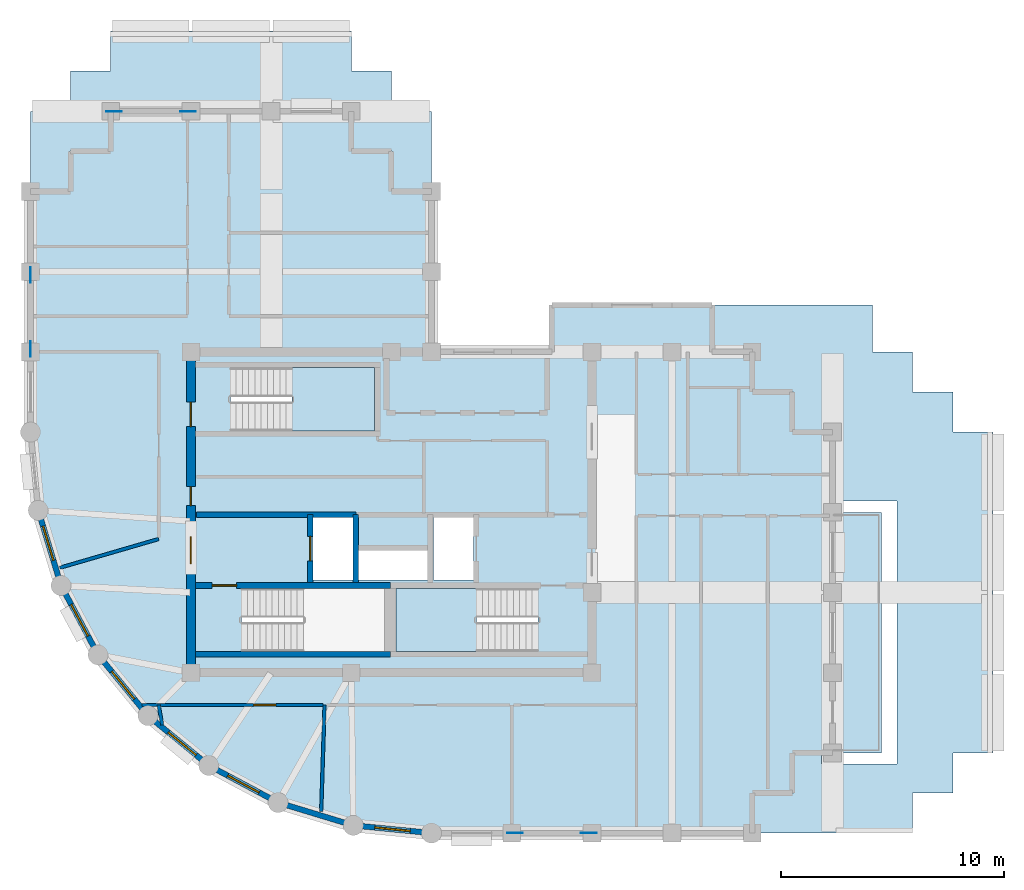
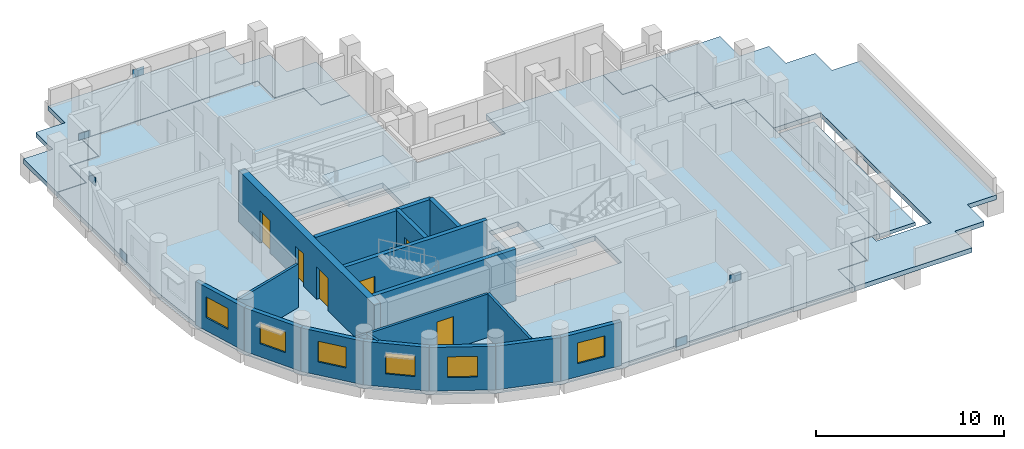
# One storey, part 2 of 7: 17 walls, 6 doors, 6 plates, 6 slabs, 6 windows, 12 openings, 2 elements without a shape of their own.
"""IFC4 building model written with IfcOpenShell, lengths in metres."""

from ifc_helpers import new_model, si_unit, direction, frame, frame_2d, origin, origin_2d, place, context, subcontext, project, spatial, polyline, rectangle, outline, extrude, material, layer, layer_set, type_object, element, fill, aggregate, save


model = new_model("IFC4")

# Units and contexts
model_context = context("Model", 3, precision=1e-05, world=origin(), true_north=direction((0.0, 1.0)))
body_context = subcontext(model_context, "Body", "Model", "MODEL_VIEW")
ifc_project = project(units=[si_unit("LENGTHUNIT", "METRE"), si_unit("AREAUNIT", "SQUARE_METRE"), si_unit("VOLUMEUNIT", "CUBIC_METRE"), si_unit("PLANEANGLEUNIT", "RADIAN"), si_unit("MASSUNIT", "GRAM", prefix="KILO")], contexts=[model_context])

# Site, building, storey
site_placement = place(None, origin())
site = spatial("IfcSite", under=ifc_project, at=site_placement, CompositionType="ELEMENT")
building_placement = place(site_placement, origin())
building = spatial("IfcBuilding", under=site, at=building_placement, Name="Solnavia Interchange Tower", CompositionType="ELEMENT")
storey_placement = place(building_placement, frame((0.0, 0.0, 221.0)))
storey = spatial("IfcBuildingStorey", under=building, at=storey_placement, Name="L55", CompositionType="ELEMENT", Elevation=221.0)

# Plates
ifc_material_1 = material(Name="Steel S460", Category="steel")
ifc_layer_1 = layer(ifc_material_1, 0.030029296875)
ifc_layer_set_1 = layer_set([ifc_layer_1], Name="Steel S460")
plate_type = type_object("IfcPlateType", Name="Plate-Gusset-700x520x30", PredefinedType="USERDEFINED", material=ifc_layer_set_1)
for number, where, z_axis, x_axis, name in (
    (1, (28.93994140625, 3.60009765625, -0.080078125), (0.0, 0.0, 1.0), (1.0, 0.0, 0.0), "PLT-L55-GP01 Perimeter brace gusset plate"),
    (2, (32.260009765625, 3.60009765625, 2.909912109375), (0.0, 0.0, 1.0), (1.0, 0.0, 0.0), "PLT-L55-GP02 Perimeter brace gusset plate"),
    (3, (7.199951171875, 25.340087890625, -0.080078125), (0.0, 0.0, 1.0), (0.0, 1.0, 0.0), "PLT-L55-GP03 Perimeter brace gusset plate"),
    (4, (7.199951171875, 28.659912109375, 2.909912109375), (0.0, 0.0, 1.0), (0.0, 1.0, 0.0), "PLT-L55-GP04 Perimeter brace gusset plate"),
    (5, (10.93994140625, 36.0, -0.080078125), (0.0, 0.0, 1.0), (1.0, 0.0, 0.0), "PLT-L55-GP05 Perimeter brace gusset plate"),
    (6, (14.260009765625, 36.0, 2.909912109375), (0.0, 0.0, 1.0), (1.0, 0.0, 0.0), "PLT-L55-GP06 Perimeter brace gusset plate"),
):
    element("IfcPlate", number, at=place(storey_placement, frame(where, z_axis=z_axis, x_axis=x_axis)), inside=storey, type_object=plate_type, Name=name, ObjectType="GUSSET PLATE", PredefinedType="USERDEFINED", context=body_context, shape_type="SweptSolid", body=[
        extrude(rectangle(XDim=0.699951171875, YDim=0.030029296875, at=origin_2d()), origin(), (0.0, 0.0, 1.0), 0.52001953125),
    ])

# Slabs
ifc_material_2 = material(Name="Concrete C40/50", Category="concrete")
ifc_layer_2 = layer(ifc_material_2, 0.300048828125)
ifc_layer_set_2 = layer_set([ifc_layer_2], Name="Concrete C40/50")
slab_type_1 = type_object("IfcSlabType", Name="Slab-Roof-300", PredefinedType="ROOF", material=ifc_layer_set_2)
slab_1_placement = place(storey_placement, frame((0.0, 0.0, -0.300048828125)))
element("IfcSlab", 7, at=slab_1_placement, inside=storey, type_object=slab_type_1, Name="ROF-L55-01 Setback maintenance roof slab", PredefinedType="ROOF", context=body_context, shape_type="SweptSolid", body=[
    extrude(outline(polyline([(45.0, 25.199951171875), (46.800048828125, 25.199951171875), (46.800048828125, 23.39990234375), (48.60009765625, 23.39990234375), (48.60009765625, 21.60009765625), (50.39990234375, 21.60009765625), (50.39990234375, 7.199951171875), (48.60009765625, 7.199951171875), (48.60009765625, 5.39990234375), (46.800048828125, 5.39990234375), (46.800048828125, 3.60009765625), (39.6201171875, 3.60009765625), (39.6201171875, 5.3798828125), (41.419921875, 5.3798828125), (41.419921875, 7.179931640625), (42.699951171875, 7.179931640625), (42.699951171875, 6.699951171875), (46.10009765625, 6.699951171875), (46.10009765625, 18.5), (43.219970703125, 18.5), (43.219970703125, 21.6201171875), (41.419921875, 21.6201171875), (41.419921875, 23.419921875), (39.6201171875, 23.419921875), (39.6201171875, 25.219970703125), (37.820068359375, 25.219970703125), (37.820068359375, 27.300048828125), (45.0, 27.300048828125), (45.0, 25.199951171875)])), origin(), (0.0, 0.0, 1.0), 0.300048828125),
])
slab_2_placement = place(storey_placement, frame((0.0, 0.0, -0.300048828125)))
element("IfcSlab", 8, at=slab_2_placement, inside=storey, type_object=slab_type_1, Name="ROF-L55-02 Setback maintenance roof slab", PredefinedType="ROOF", context=body_context, shape_type="SweptSolid", body=[
    extrude(outline(polyline([(9.0, 36.0), (9.0, 37.800048828125), (10.800048828125, 37.800048828125), (10.800048828125, 39.60009765625), (21.60009765625, 39.60009765625), (21.60009765625, 37.800048828125), (23.39990234375, 37.800048828125), (23.39990234375, 36.0), (25.199951171875, 36.0), (25.199951171875, 32.419921875), (23.419921875, 32.419921875), (23.419921875, 34.219970703125), (21.6201171875, 34.219970703125), (21.6201171875, 36.02001953125), (10.780029296875, 36.02001953125), (10.780029296875, 34.219970703125), (8.97998046875, 34.219970703125), (8.97998046875, 32.419921875), (7.199951171875, 32.419921875), (7.199951171875, 36.0), (9.0, 36.0)])), origin(), (0.0, 0.0, 1.0), 0.300048828125),
])
ifc_layer_3 = layer(ifc_material_2, 0.320068359375)
ifc_layer_set_3 = layer_set([ifc_layer_3], Name="Concrete C40/50")
slab_type_2 = type_object("IfcSlabType", Name="Slab-Special-320", PredefinedType="FLOOR", material=ifc_layer_set_3)
slab_3_placement = place(storey_placement, frame((0.0, 0.0, -0.320068359375)))
element("IfcSlab", 9, at=slab_3_placement, inside=storey, type_object=slab_type_2, Name="SLB-L55-01 Structural floor slab", PredefinedType="FLOOR", context=body_context, shape_type="SweptSolid", body=[
    extrude(outline(polyline([(25.199951171875, 3.60009765625), (39.60009765625, 3.60009765625), (39.60009765625, 5.39990234375), (41.39990234375, 5.39990234375), (41.39990234375, 7.199951171875), (43.199951171875, 7.199951171875), (43.199951171875, 21.60009765625), (41.39990234375, 21.60009765625), (41.39990234375, 23.39990234375), (39.60009765625, 23.39990234375), (39.60009765625, 25.199951171875), (37.800048828125, 25.199951171875), (37.800048828125, 27.300048828125), (30.60009765625, 27.300048828125), (30.60009765625, 25.199951171875), (25.199951171875, 25.199951171875), (25.199951171875, 32.39990234375), (23.39990234375, 32.39990234375), (23.39990234375, 34.199951171875), (21.60009765625, 34.199951171875), (21.60009765625, 36.0), (10.800048828125, 36.0), (10.800048828125, 34.199951171875), (9.0, 34.199951171875), (9.0, 32.39990234375), (7.199951171875, 32.39990234375), (7.199951171875, 21.60009765625), (7.5458984375, 18.087890625), (8.570068359375, 14.7119140625), (10.23388671875, 11.60009765625), (12.471923828125, 8.8720703125), (15.199951171875, 6.634033203125), (18.31201171875, 4.969970703125), (21.68798828125, 3.946044921875), (25.199951171875, 3.60009765625)]), holes=[polyline([(16.675048828125, 11.75), (23.10009765625, 11.75), (23.10009765625, 14.590087890625), (16.675048828125, 14.590087890625), (16.675048828125, 11.75)]), polyline([(23.60009765625, 11.75), (29.97509765625, 11.75), (29.97509765625, 14.590087890625), (23.60009765625, 14.590087890625), (23.60009765625, 11.75)]), polyline([(16.175048828125, 21.64990234375), (22.64990234375, 21.64990234375), (22.64990234375, 24.489990234375), (16.175048828125, 24.489990234375), (16.175048828125, 21.64990234375)]), polyline([(19.8798828125, 14.9599609375), (21.679931640625, 14.9599609375), (21.679931640625, 17.780029296875), (19.8798828125, 17.780029296875), (19.8798828125, 14.9599609375)]), polyline([(25.280029296875, 14.9599609375), (27.080078125, 14.9599609375), (27.080078125, 17.780029296875), (25.280029296875, 17.780029296875), (25.280029296875, 14.9599609375)]), polyline([(21.919921875, 14.9599609375), (25.02001953125, 14.9599609375), (25.02001953125, 16.280029296875), (21.919921875, 16.280029296875), (21.919921875, 14.9599609375)])]), origin(), (0.0, 0.0, 1.0), 0.320068359375),
])

# Stair, slab
stair_type = type_object("IfcStairType", Name="Stair-Dogleg-RC", PredefinedType="HALF_TURN_STAIR", material=ifc_material_2)
stair_1_placement = place(storey_placement, origin())
stair_1 = element("IfcStair", 10, at=stair_1_placement, inside=storey, type_object=stair_type, Name="L55 Core exit stair 2", PredefinedType="HALF_TURN_STAIR")
ifc_layer_4 = layer(ifc_material_2, 0.35009765625)
ifc_layer_set_4 = layer_set([ifc_layer_4], Name="Concrete C40/50")
slab_type_3 = type_object("IfcSlabType", Name="Slab-StairLanding-350", PredefinedType="LANDING", material=ifc_layer_set_4)
slab_4_placement = place(storey_placement, frame((0.0, 0.0, 1.449951171875)))
slab_4 = element("IfcSlab", 11, at=slab_4_placement, type_object=slab_type_3, Name="ST-2 landing 1", PredefinedType="LANDING", context=body_context, shape_type="SweptSolid", body=[
    extrude(outline(polyline([(23.60009765625, 11.75), (27.221923828125, 11.75), (27.221923828125, 14.590087890625), (23.60009765625, 14.590087890625), (23.60009765625, 11.75)])), origin(), (0.0, 0.0, 1.0), 0.35009765625),
])
aggregate(stair_1, [slab_4])

stair_2_placement = place(storey_placement, origin())
stair_2 = element("IfcStair", 12, at=stair_2_placement, inside=storey, type_object=stair_type, Name="L55 Core exit stair 3", PredefinedType="HALF_TURN_STAIR")
slab_5_placement = place(storey_placement, frame((0.0, 0.0, 1.449951171875)))
slab_5 = element("IfcSlab", 13, at=slab_5_placement, type_object=slab_type_3, Name="ST-3 landing 1", PredefinedType="LANDING", context=body_context, shape_type="SweptSolid", body=[
    extrude(outline(polyline([(18.927978515625, 21.64990234375), (22.64990234375, 21.64990234375), (22.64990234375, 24.489990234375), (18.927978515625, 24.489990234375), (18.927978515625, 21.64990234375)])), origin(), (0.0, 0.0, 1.0), 0.35009765625),
])
aggregate(stair_2, [slab_5])

# Slab
ifc_layer_5 = layer(ifc_material_2, 0.219970703125)
ifc_layer_set_5 = layer_set([ifc_layer_5], Name="Concrete C40/50")
slab_type_4 = type_object("IfcSlabType", Name="Slab-Terrace-220", PredefinedType="FLOOR", material=ifc_layer_set_5)
slab_6_placement = place(storey_placement, frame((0.0, 0.0, -0.260009765625)))
element("IfcSlab", 14, at=slab_6_placement, inside=storey, type_object=slab_type_4, Name="TER-L55-01 Outdoor spiral terrace slab", PredefinedType="FLOOR", context=body_context, shape_type="SweptSolid", body=[
    extrude(outline(polyline([(43.199951171875, 7.199951171875), (45.39990234375, 7.199951171875), (45.39990234375, 18.0), (43.199951171875, 18.0), (43.199951171875, 7.199951171875)])), origin(), (0.0, 0.0, 1.0), 0.219970703125),
])

# Wall, opening, window
ifc_layer_6 = layer(ifc_material_2, 0.25)
ifc_layer_set_6 = layer_set([ifc_layer_6], Name="Concrete C40/50")
wall_type_1 = type_object("IfcWallType", Name="Wall-ExtSpandrel-250", PredefinedType="STANDARD", material=ifc_layer_set_6)
wall_1_placement = place(storey_placement, frame((8.570068359375, 14.7119140625, 0.0), z_axis=(0.0, 0.0, 1.0), x_axis=(-0.290305086481, 0.956934144423, 0.0)))
wall_1 = element("IfcWall", 15, at=wall_1_placement, inside=storey, type_object=wall_type_1, Name="EXW-L55-42 Exterior precast spandrel wall", PredefinedType="STANDARD", context=body_context, shape_type="SweptSolid", body=[
    extrude(rectangle(XDim=3.52783203125, YDim=0.25, at=frame_2d((1.763916015625, 0.0))), origin(), (0.0, 0.0, 1.0), 2.830078125),
])
opening_1_placement = place(wall_1_placement, frame((1.18408203125, 0.0, 0.85009765625)))
opening_1 = element("IfcOpeningElement", 16, at=opening_1_placement, cuts=wall_1, Name="Opening WIN-04", PredefinedType="OPENING", context=body_context, shape_type="SweptSolid", body=[
    extrude(rectangle(XDim=1.60009765625, YDim=1.35009765625, at=frame_2d((0.800048828125, 0.675048828125))), frame((0.0, 0.135009765625, 0.0), z_axis=(0.0, -1.0, 0.0), x_axis=(1.0, 0.0, 0.0)), (0.0, 0.0, 1.0), 0.27001953125),
])
ifc_material_3 = material(Name="Thermal-Break Aluminium & Low-E Glass", Category="aluminium")
window_type = type_object("IfcWindowType", Name="Window-Drum-1600x1350", PartitioningType="SINGLE_PANEL", PredefinedType="WINDOW", material=ifc_material_3)
window_1_placement = place(opening_1_placement, origin())
window_1 = element("IfcWindow", 17, at=window_1_placement, inside=storey, type_object=window_type, Name="WIN-L55-42 Facade ribbon window", OverallHeight=1.35009765625, OverallWidth=1.60009765625, PartitioningType="SINGLE_PANEL", PredefinedType="WINDOW", context=body_context, shape_type="SweptSolid", body=[
    extrude(rectangle(XDim=1.60009765625, YDim=1.35009765625, at=frame_2d((0.800048828125, 0.675048828125))), frame((0.0, 0.030029296875, 0.0), z_axis=(0.0, -1.0, 0.0), x_axis=(1.0, 0.0, 0.0)), (0.0, 0.0, 1.0), 0.06005859375),
])
fill(opening_1, window_1)

wall_2_placement = place(storey_placement, frame((10.23388671875, 11.60009765625, 0.0), z_axis=(0.0, 0.0, 1.0), x_axis=(-0.47151087309, 0.881860247748, 0.0)))
wall_2 = element("IfcWall", 18, at=wall_2_placement, inside=storey, type_object=wall_type_1, Name="EXW-L55-43 Exterior precast spandrel wall", PredefinedType="STANDARD", context=body_context, shape_type="SweptSolid", body=[
    extrude(rectangle(XDim=3.52880859375, YDim=0.25, at=frame_2d((1.764404296875, 0.0))), origin(), (0.0, 0.0, 1.0), 2.830078125),
])
opening_2_placement = place(wall_2_placement, frame((0.964111328125, 0.0, 0.85009765625)))
opening_2 = element("IfcOpeningElement", 19, at=opening_2_placement, cuts=wall_2, Name="Opening WIN-04", PredefinedType="OPENING", context=body_context, shape_type="SweptSolid", body=[
    extrude(rectangle(XDim=1.60009765625, YDim=1.35009765625, at=frame_2d((0.800048828125, 0.675048828125))), frame((0.0, 0.135009765625, 0.0), z_axis=(0.0, -1.0, 0.0), x_axis=(1.0, 0.0, 0.0)), (0.0, 0.0, 1.0), 0.27001953125),
])
window_2_placement = place(opening_2_placement, origin())
window_2 = element("IfcWindow", 20, at=window_2_placement, inside=storey, type_object=window_type, Name="WIN-L55-43 Facade ribbon window", OverallHeight=1.35009765625, OverallWidth=1.60009765625, PartitioningType="SINGLE_PANEL", PredefinedType="WINDOW", context=body_context, shape_type="SweptSolid", body=[
    extrude(rectangle(XDim=1.60009765625, YDim=1.35009765625, at=frame_2d((0.800048828125, 0.675048828125))), frame((0.0, 0.030029296875, 0.0), z_axis=(0.0, -1.0, 0.0), x_axis=(1.0, 0.0, 0.0)), (0.0, 0.0, 1.0), 0.06005859375),
])
fill(opening_2, window_2)

wall_3_placement = place(storey_placement, frame((12.471923828125, 8.8720703125, 0.0), z_axis=(0.0, 0.0, 1.0), x_axis=(-0.634258295121, 0.773121216285, 0.0)))
wall_3 = element("IfcWall", 21, at=wall_3_placement, inside=storey, type_object=wall_type_1, Name="EXW-L55-44 Exterior precast spandrel wall", PredefinedType="STANDARD", context=body_context, shape_type="SweptSolid", body=[
    extrude(rectangle(XDim=3.528564453125, YDim=0.25, at=frame_2d((1.76416015625, 0.0))), origin(), (0.0, 0.0, 1.0), 2.830078125),
])
opening_3_placement = place(wall_3_placement, frame((0.964111328125, 0.0, 0.85009765625)))
opening_3 = element("IfcOpeningElement", 22, at=opening_3_placement, cuts=wall_3, Name="Opening WIN-04", PredefinedType="OPENING", context=body_context, shape_type="SweptSolid", body=[
    extrude(rectangle(XDim=1.60009765625, YDim=1.35009765625, at=frame_2d((0.800048828125, 0.675048828125))), frame((0.0, 0.135009765625, 0.0), z_axis=(0.0, -1.0, 0.0), x_axis=(1.0, 0.0, 0.0)), (0.0, 0.0, 1.0), 0.27001953125),
])
window_3_placement = place(opening_3_placement, origin())
window_3 = element("IfcWindow", 23, at=window_3_placement, inside=storey, type_object=window_type, Name="WIN-L55-44 Facade ribbon window", OverallHeight=1.35009765625, OverallWidth=1.60009765625, PartitioningType="SINGLE_PANEL", PredefinedType="WINDOW", context=body_context, shape_type="SweptSolid", body=[
    extrude(rectangle(XDim=1.60009765625, YDim=1.35009765625, at=frame_2d((0.800048828125, 0.675048828125))), frame((0.0, 0.030029296875, 0.0), z_axis=(0.0, -1.0, 0.0), x_axis=(1.0, 0.0, 0.0)), (0.0, 0.0, 1.0), 0.06005859375),
])
fill(opening_3, window_3)

wall_4_placement = place(storey_placement, frame((15.199951171875, 6.634033203125, 0.0), z_axis=(0.0, 0.0, 1.0), x_axis=(-0.773121216285, 0.634258295121, 0.0)))
wall_4 = element("IfcWall", 24, at=wall_4_placement, inside=storey, type_object=wall_type_1, Name="EXW-L55-45 Exterior precast spandrel wall", PredefinedType="STANDARD", context=body_context, shape_type="SweptSolid", body=[
    extrude(rectangle(XDim=3.528564453125, YDim=0.25, at=frame_2d((1.76416015625, 0.0))), origin(), (0.0, 0.0, 1.0), 2.830078125),
])
opening_4_placement = place(wall_4_placement, frame((0.743896484375, 0.0, 0.85009765625)))
opening_4 = element("IfcOpeningElement", 25, at=opening_4_placement, cuts=wall_4, Name="Opening WIN-04", PredefinedType="OPENING", context=body_context, shape_type="SweptSolid", body=[
    extrude(rectangle(XDim=1.60009765625, YDim=1.35009765625, at=frame_2d((0.800048828125, 0.675048828125))), frame((0.0, 0.135009765625, 0.0), z_axis=(0.0, -1.0, 0.0), x_axis=(1.0, 0.0, 0.0)), (0.0, 0.0, 1.0), 0.27001953125),
])
window_4_placement = place(opening_4_placement, origin())
window_4 = element("IfcWindow", 26, at=window_4_placement, inside=storey, type_object=window_type, Name="WIN-L55-45 Facade ribbon window", OverallHeight=1.35009765625, OverallWidth=1.60009765625, PartitioningType="SINGLE_PANEL", PredefinedType="WINDOW", context=body_context, shape_type="SweptSolid", body=[
    extrude(rectangle(XDim=1.60009765625, YDim=1.35009765625, at=frame_2d((0.800048828125, 0.675048828125))), frame((0.0, 0.030029296875, 0.0), z_axis=(0.0, -1.0, 0.0), x_axis=(1.0, 0.0, 0.0)), (0.0, 0.0, 1.0), 0.06005859375),
])
fill(opening_4, window_4)

wall_5_placement = place(storey_placement, frame((18.31201171875, 4.969970703125, 0.0), z_axis=(0.0, 0.0, 1.0), x_axis=(-0.881846862014, 0.471535907389, 0.0)))
wall_5 = element("IfcWall", 27, at=wall_5_placement, inside=storey, type_object=wall_type_1, Name="EXW-L55-46 Exterior precast spandrel wall", PredefinedType="STANDARD", context=body_context, shape_type="SweptSolid", body=[
    extrude(rectangle(XDim=3.529052734375, YDim=0.25, at=frame_2d((1.7646484375, 0.0))), origin(), (0.0, 0.0, 1.0), 2.830078125),
])
opening_5_placement = place(wall_5_placement, frame((0.964111328125, 0.0, 0.85009765625)))
opening_5 = element("IfcOpeningElement", 28, at=opening_5_placement, cuts=wall_5, Name="Opening WIN-04", PredefinedType="OPENING", context=body_context, shape_type="SweptSolid", body=[
    extrude(rectangle(XDim=1.60009765625, YDim=1.35009765625, at=frame_2d((0.800048828125, 0.675048828125))), frame((0.0, 0.135009765625, 0.0), z_axis=(0.0, -1.0, 0.0), x_axis=(1.0, 0.0, 0.0)), (0.0, 0.0, 1.0), 0.27001953125),
])
window_5_placement = place(opening_5_placement, origin())
window_5 = element("IfcWindow", 29, at=window_5_placement, inside=storey, type_object=window_type, Name="WIN-L55-46 Facade ribbon window", OverallHeight=1.35009765625, OverallWidth=1.60009765625, PartitioningType="SINGLE_PANEL", PredefinedType="WINDOW", context=body_context, shape_type="SweptSolid", body=[
    extrude(rectangle(XDim=1.60009765625, YDim=1.35009765625, at=frame_2d((0.800048828125, 0.675048828125))), frame((0.0, 0.030029296875, 0.0), z_axis=(0.0, -1.0, 0.0), x_axis=(1.0, 0.0, 0.0)), (0.0, 0.0, 1.0), 0.06005859375),
])
fill(opening_5, window_5)

# Wall
wall_6_placement = place(storey_placement, frame((21.68798828125, 3.946044921875, 0.0), z_axis=(0.0, 0.0, 1.0), x_axis=(-0.956953367403, 0.290241714123, 0.0)))
element("IfcWall", 30, at=wall_6_placement, inside=storey, type_object=wall_type_1, Name="EXW-L55-47 Exterior precast spandrel wall", PredefinedType="STANDARD", context=body_context, shape_type="SweptSolid", body=[
    extrude(rectangle(XDim=3.52783203125, YDim=0.25, at=frame_2d((1.763916015625, 0.0))), origin(), (0.0, 0.0, 1.0), 2.830078125),
])

# Wall, opening, window
wall_7_placement = place(storey_placement, frame((25.199951171875, 3.60009765625, 0.0), z_axis=(0.0, 0.0, 1.0), x_axis=(-0.995183369056, 0.098030923459, 0.0)))
wall_7 = element("IfcWall", 31, at=wall_7_placement, inside=storey, type_object=wall_type_1, Name="EXW-L55-48 Exterior precast spandrel wall", PredefinedType="STANDARD", context=body_context, shape_type="SweptSolid", body=[
    extrude(rectangle(XDim=3.529052734375, YDim=0.25, at=frame_2d((1.7646484375, 0.0))), origin(), (0.0, 0.0, 1.0), 2.830078125),
])
opening_6_placement = place(wall_7_placement, frame((0.965087890625, 0.0, 0.85009765625)))
opening_6 = element("IfcOpeningElement", 32, at=opening_6_placement, cuts=wall_7, Name="Opening WIN-04", PredefinedType="OPENING", context=body_context, shape_type="SweptSolid", body=[
    extrude(rectangle(XDim=1.60009765625, YDim=1.35009765625, at=frame_2d((0.800048828125, 0.675048828125))), frame((0.0, 0.135009765625, 0.0), z_axis=(0.0, -1.0, 0.0), x_axis=(1.0, 0.0, 0.0)), (0.0, 0.0, 1.0), 0.27001953125),
])
window_6_placement = place(opening_6_placement, origin())
window_6 = element("IfcWindow", 33, at=window_6_placement, inside=storey, type_object=window_type, Name="WIN-L55-48 Facade ribbon window", OverallHeight=1.35009765625, OverallWidth=1.60009765625, PartitioningType="SINGLE_PANEL", PredefinedType="WINDOW", context=body_context, shape_type="SweptSolid", body=[
    extrude(rectangle(XDim=1.60009765625, YDim=1.35009765625, at=frame_2d((0.800048828125, 0.675048828125))), frame((0.0, 0.030029296875, 0.0), z_axis=(0.0, -1.0, 0.0), x_axis=(1.0, 0.0, 0.0)), (0.0, 0.0, 1.0), 0.06005859375),
])
fill(opening_6, window_6)

# Walls
ifc_material_4 = material(Name="Gypsum Plasterboard & Steel Stud", Category="steel")
ifc_layer_7 = layer(ifc_material_4, 0.14990234375)
ifc_layer_set_7 = layer_set([ifc_layer_7], Name="Gypsum Plasterboard & Steel Stud")
wall_type_2 = type_object("IfcWallType", Name="Wall-Partition-150", PredefinedType="PARTITIONING", material=ifc_layer_set_7)
wall_8_placement = place(storey_placement, frame((12.949951171875, 16.800048828125, 0.0), z_axis=(0.0, 0.0, 1.0), x_axis=(-0.960230611001, -0.279208118968, 0.0)))
element("IfcWall", 34, at=wall_8_placement, inside=storey, type_object=wall_type_2, Name="PTW-L55-09 Interior partition wall", PredefinedType="PARTITIONING", context=body_context, shape_type="SweptSolid", body=[
    extrude(rectangle(XDim=4.61767578125, YDim=0.14990234375, at=frame_2d((2.308837890625, 0.0))), origin(), (0.0, 0.0, 1.0), 2.830078125),
])
wall_9_placement = place(storey_placement, frame((12.949951171875, 9.35009765625, 0.0), z_axis=(0.0, 0.0, 1.0), x_axis=(0.179827308786, -0.983698195086, 0.0)))
element("IfcWall", 35, at=wall_9_placement, inside=storey, type_object=wall_type_2, Name="PTW-L55-10 Interior partition wall", PredefinedType="PARTITIONING", context=body_context, shape_type="SweptSolid", body=[
    extrude(rectangle(XDim=0.912353515625, YDim=0.14990234375, at=frame_2d((0.4560546875, 0.0))), origin(), (0.0, 0.0, 1.0), 2.830078125),
])
wall_10_placement = place(storey_placement, frame((20.39990234375, 9.35009765625, 0.0), z_axis=(0.0, 0.0, 1.0), x_axis=(-0.031810202646, -0.999493927449, 0.0)))
element("IfcWall", 36, at=wall_10_placement, inside=storey, type_object=wall_type_2, Name="PTW-L55-11 Interior partition wall", PredefinedType="PARTITIONING", context=body_context, shape_type="SweptSolid", body=[
    extrude(rectangle(XDim=4.781494140625, YDim=0.14990234375, at=frame_2d((2.390625, 0.0))), origin(), (0.0, 0.0, 1.0), 2.830078125),
])

# Wall, opening, door
wall_11_placement = place(storey_placement, frame((12.208984375, 9.35009765625, 0.0), z_axis=(0.0, 0.0, 1.0), x_axis=(1.0, 0.0, 0.0)))
wall_11 = element("IfcWall", 37, at=wall_11_placement, inside=storey, type_object=wall_type_2, Name="PTW-L55-14 Interior partition wall", PredefinedType="PARTITIONING", context=body_context, shape_type="SweptSolid", body=[
    extrude(rectangle(XDim=8.112060546875, YDim=0.14990234375, at=frame_2d((4.05615234375, 0.0))), origin(), (0.0, 0.0, 1.0), 2.830078125),
])
opening_7_placement = place(wall_11_placement, frame((5.001953125, 0.0, 0.0)))
opening_7 = element("IfcOpeningElement", 38, at=opening_7_placement, cuts=wall_11, Name="Opening DR-07", PredefinedType="OPENING", context=body_context, shape_type="SweptSolid", body=[
    extrude(rectangle(XDim=1.0, YDim=2.10009765625, at=frame_2d((0.5, 1.050048828125))), frame((0.0, 0.0849609375, 0.0), z_axis=(0.0, -1.0, 0.0), x_axis=(1.0, 0.0, 0.0)), (0.0, 0.0, 1.0), 0.169921875),
])
ifc_material_5 = material(Name="Timber & Acoustic Glazed Office Door", Category="wood")
door_type_1 = type_object("IfcDoorType", Name="Door-Office-1000x2100", OperationType="SINGLE_SWING_RIGHT", PredefinedType="DOOR", material=ifc_material_5)
door_1_placement = place(opening_7_placement, origin())
door_1 = element("IfcDoor", 39, at=door_1_placement, inside=storey, type_object=door_type_1, Name="DR-L55-05 Interior room door", OperationType="SINGLE_SWING_LEFT", OverallHeight=2.10009765625, OverallWidth=1.0, PredefinedType="DOOR", context=body_context, shape_type="SweptSolid", body=[
    extrude(rectangle(XDim=1.0, YDim=2.10009765625, at=frame_2d((0.5, 1.050048828125))), frame((0.0, 0.02490234375, 0.0), z_axis=(0.0, -1.0, 0.0), x_axis=(1.0, 0.0, 0.0)), (0.0, 0.0, 1.0), 0.050048828125),
])
fill(opening_7, door_1)

# Wall
ifc_layer_8 = layer(ifc_material_2, 0.25)
ifc_layer_set_8 = layer_set([ifc_layer_8], Name="Concrete C40/50")
wall_type_3 = type_object("IfcWallType", Name="Wall-ShaftCore-250", PredefinedType="SHEAR", material=ifc_layer_set_8)
wall_12_placement = place(storey_placement, frame((14.60009765625, 11.625, 0.0), z_axis=(0.0, 0.0, 1.0), x_axis=(1.0, 0.0, 0.0)))
element("IfcWall", 40, at=wall_12_placement, inside=storey, type_object=wall_type_3, Name="SHW-L55-ST1S Core shear wall", PredefinedType="SHEAR", context=body_context, shape_type="SweptSolid", body=[
    extrude(rectangle(XDim=8.75, YDim=0.25, at=frame_2d((4.375, 0.0))), origin(), (0.0, 0.0, 1.0), 3.35009765625),
])

# Wall, opening, door
wall_13_placement = place(storey_placement, frame((14.60009765625, 14.715087890625, 0.0), z_axis=(0.0, 0.0, 1.0), x_axis=(1.0, 0.0, 0.0)))
wall_13 = element("IfcWall", 41, at=wall_13_placement, inside=storey, type_object=wall_type_3, Name="SHW-L55-ST1N Core shear wall", PredefinedType="SHEAR", context=body_context, shape_type="SweptSolid", body=[
    extrude(rectangle(XDim=8.75, YDim=0.25, at=frame_2d((4.375, 0.0))), origin(), (0.0, 0.0, 1.0), 3.35009765625),
])
opening_8_placement = place(wall_13_placement, frame((0.7548828125, 0.0, 0.0)))
opening_8 = element("IfcOpeningElement", 42, at=opening_8_placement, cuts=wall_13, Name="Opening DR-01", PredefinedType="OPENING", context=body_context, shape_type="SweptSolid", body=[
    extrude(rectangle(XDim=1.10009765625, YDim=2.10009765625, at=frame_2d((0.550048828125, 1.050048828125))), frame((0.0, 0.135009765625, 0.0), z_axis=(0.0, -1.0, 0.0), x_axis=(1.0, 0.0, 0.0)), (0.0, 0.0, 1.0), 0.27001953125),
])
ifc_material_6 = material(Name="Steel Fire-Rated Leaf & Frame", Category="steel")
door_type_2 = type_object("IfcDoorType", Name="Door-StairFire-1100x2100", OperationType="SINGLE_SWING_LEFT", PredefinedType="DOOR", material=ifc_material_6)
door_2_placement = place(opening_8_placement, origin())
door_2 = element("IfcDoor", 43, at=door_2_placement, inside=storey, type_object=door_type_2, Name="DR-L55-ST1 Core fire door", OperationType="SINGLE_SWING_LEFT", OverallHeight=2.10009765625, OverallWidth=1.10009765625, PredefinedType="DOOR", context=body_context, shape_type="SweptSolid", body=[
    extrude(rectangle(XDim=1.10009765625, YDim=2.10009765625, at=frame_2d((0.550048828125, 1.050048828125))), frame((0.0, 0.02490234375, 0.0), z_axis=(0.0, -1.0, 0.0), x_axis=(1.0, 0.0, 0.0)), (0.0, 0.0, 1.0), 0.050048828125),
])
fill(opening_8, door_2)

# Wall
ifc_layer_9 = layer(ifc_material_2, 0.25)
ifc_layer_set_9 = layer_set([ifc_layer_9], Name="Concrete C40/50")
wall_type_4 = type_object("IfcWallType", Name="Wall-ShaftPart-250", PredefinedType="PARTITIONING", material=ifc_layer_set_9)
wall_14_placement = place(storey_placement, frame((14.64990234375, 17.89990234375, 0.0), z_axis=(0.0, 0.0, 1.0), x_axis=(1.0, 0.0, 0.0)))
element("IfcWall", 44, at=wall_14_placement, inside=storey, type_object=wall_type_4, Name="SHW-L55-FFLW-N Core shaft wall", PredefinedType="PARTITIONING", context=body_context, shape_type="SweptSolid", body=[
    extrude(rectangle(XDim=7.150146484375, YDim=0.25, at=frame_2d((3.5751953125, 0.0))), origin(), (0.0, 0.0, 1.0), 3.3349609375),
])

# Wall, opening, door
wall_15_placement = place(storey_placement, frame((19.75, 14.840087890625, 0.0), z_axis=(0.0, 0.0, 1.0), x_axis=(0.0, 1.0, 0.0)))
wall_15 = element("IfcWall", 45, at=wall_15_placement, inside=storey, type_object=wall_type_4, Name="SHW-L55-FFL1-W Core shaft wall", PredefinedType="PARTITIONING", context=body_context, shape_type="SweptSolid", body=[
    extrude(rectangle(XDim=3.059814453125, YDim=0.25, at=frame_2d((1.52978515625, 0.0))), origin(), (0.0, 0.0, 1.0), 3.3349609375),
])
opening_9_placement = place(wall_15_placement, frame((0.97998046875, 0.0, 0.0)))
opening_9 = element("IfcOpeningElement", 46, at=opening_9_placement, cuts=wall_15, Name="Opening LD-01", PredefinedType="OPENING", context=body_context, shape_type="SweptSolid", body=[
    extrude(rectangle(XDim=1.10009765625, YDim=2.10009765625, at=frame_2d((0.550048828125, 1.050048828125))), frame((0.0, 0.135009765625, 0.0), z_axis=(0.0, -1.0, 0.0), x_axis=(1.0, 0.0, 0.0)), (0.0, 0.0, 1.0), 0.27001953125),
])
ifc_material_7 = material(Name="Brushed Stainless Steel Sliding Door", Category="steel")
door_type_3 = type_object("IfcDoorType", Name="Door-LiftLanding-1100x2100", OperationType="SLIDING_TO_LEFT", PredefinedType="DOOR", material=ifc_material_7)
door_3_placement = place(opening_9_placement, origin())
door_3 = element("IfcDoor", 47, at=door_3_placement, inside=storey, type_object=door_type_3, Name="LD-L55-FFL1 Lift landing sliding door", OperationType="SLIDING_TO_LEFT", OverallHeight=2.10009765625, OverallWidth=1.10009765625, PredefinedType="DOOR", context=body_context, shape_type="SweptSolid", body=[
    extrude(rectangle(XDim=1.10009765625, YDim=2.10009765625, at=frame_2d((0.550048828125, 1.050048828125))), frame((0.0, 0.02490234375, 0.0), z_axis=(0.0, -1.0, 0.0), x_axis=(1.0, 0.0, 0.0)), (0.0, 0.0, 1.0), 0.050048828125),
])
fill(opening_9, door_3)

# Wall
wall_16_placement = place(storey_placement, frame((21.800048828125, 14.840087890625, 0.0), z_axis=(0.0, 0.0, 1.0), x_axis=(0.0, 1.0, 0.0)))
element("IfcWall", 48, at=wall_16_placement, inside=storey, type_object=wall_type_4, Name="SHW-L55-FFL1-E Core shaft wall", PredefinedType="PARTITIONING", context=body_context, shape_type="SweptSolid", body=[
    extrude(rectangle(XDim=3.059814453125, YDim=0.25, at=frame_2d((1.52978515625, 0.0))), origin(), (0.0, 0.0, 1.0), 3.3349609375),
])

# Wall, openings, doors
ifc_material_8 = material(Name="Concrete C50/60", Category="concrete")
ifc_layer_10 = layer(ifc_material_8, 0.39990234375)
ifc_layer_set_10 = layer_set([ifc_layer_10], Name="Concrete C50/60")
wall_type_5 = type_object("IfcWallType", Name="Wall-ShearCore-400", PredefinedType="SHEAR", material=ifc_layer_set_10)
wall_17_placement = place(storey_placement, frame((14.39990234375, 10.800048828125, 0.0), z_axis=(0.0, 0.0, 1.0), x_axis=(0.0, 1.0, 0.0)))
wall_17 = element("IfcWall", 49, at=wall_17_placement, inside=storey, type_object=wall_type_5, Name="CRW-L55-W Core shear wall", PredefinedType="SHEAR", context=body_context, shape_type="SweptSolid", body=[
    extrude(rectangle(XDim=14.39990234375, YDim=0.39990234375, at=frame_2d((7.199951171875, 0.0))), origin(), (0.0, 0.0, 1.0), 3.35009765625),
])
opening_10_placement = place(wall_17_placement, frame((11.050048828125, 0.0, 0.0)))
opening_10 = element("IfcOpeningElement", 50, at=opening_10_placement, cuts=wall_17, Name="Opening DR-01", PredefinedType="OPENING", context=body_context, shape_type="SweptSolid", body=[
    extrude(rectangle(XDim=1.10009765625, YDim=2.10009765625, at=frame_2d((0.550048828125, 1.050048828125))), frame((0.0, 0.2099609375, 0.0), z_axis=(0.0, -1.0, 0.0), x_axis=(1.0, 0.0, 0.0)), (0.0, 0.0, 1.0), 0.419921875),
])
opening_11_placement = place(wall_17_placement, frame((4.89990234375, 0.0, 0.0)))
opening_11 = element("IfcOpeningElement", 51, at=opening_11_placement, cuts=wall_17, Name="Opening DR-02", PredefinedType="OPENING", context=body_context, shape_type="SweptSolid", body=[
    extrude(rectangle(XDim=1.199951171875, YDim=2.10009765625, at=frame_2d((0.60009765625, 1.050048828125))), frame((0.0, 0.2099609375, 0.0), z_axis=(0.0, -1.0, 0.0), x_axis=(1.0, 0.0, 0.0)), (0.0, 0.0, 1.0), 0.419921875),
])
opening_12_placement = place(wall_17_placement, frame((7.5, 0.0, 0.0)))
opening_12 = element("IfcOpeningElement", 52, at=opening_12_placement, cuts=wall_17, Name="Opening DR-10", PredefinedType="OPENING", context=body_context, shape_type="SweptSolid", body=[
    extrude(rectangle(XDim=0.85009765625, YDim=2.10009765625, at=frame_2d((0.425048828125, 1.050048828125))), frame((0.0, 0.2099609375, 0.0), z_axis=(0.0, -1.0, 0.0), x_axis=(1.0, 0.0, 0.0)), (0.0, 0.0, 1.0), 0.419921875),
])
ifc_material_9 = material(Name="Moisture-Resistant Timber Door", Category="wood")
door_type_4 = type_object("IfcDoorType", Name="Door-Bathroom-850x2100", OperationType="SINGLE_SWING_RIGHT", PredefinedType="DOOR", material=ifc_material_9)
door_4_placement = place(opening_12_placement, origin())
door_4 = element("IfcDoor", 53, at=door_4_placement, inside=storey, type_object=door_type_4, Name="DR-L55-CS1 Core fire door", OperationType="SINGLE_SWING_RIGHT", OverallHeight=2.10009765625, OverallWidth=0.85009765625, PredefinedType="DOOR", context=body_context, shape_type="SweptSolid", body=[
    extrude(rectangle(XDim=0.85009765625, YDim=2.10009765625, at=frame_2d((0.425048828125, 1.050048828125))), frame((0.0, 0.02490234375, 0.0), z_axis=(0.0, -1.0, 0.0), x_axis=(1.0, 0.0, 0.0)), (0.0, 0.0, 1.0), 0.050048828125),
])
fill(opening_12, door_4)
ifc_material_10 = material(Name="Steel Fire-Rated Vision-Panel Door", Category="steel")
door_type_5 = type_object("IfcDoorType", Name="Door-LobbyFire-1200x2100", OperationType="SINGLE_SWING_RIGHT", PredefinedType="DOOR", material=ifc_material_10)
door_5_placement = place(opening_11_placement, origin())
door_5 = element("IfcDoor", 54, at=door_5_placement, inside=storey, type_object=door_type_5, Name="DR-L55-FFL1W Core fire door", OperationType="SINGLE_SWING_RIGHT", OverallHeight=2.10009765625, OverallWidth=1.199951171875, PredefinedType="DOOR", context=body_context, shape_type="SweptSolid", body=[
    extrude(rectangle(XDim=1.199951171875, YDim=2.10009765625, at=frame_2d((0.60009765625, 1.050048828125))), frame((0.0, 0.02490234375, 0.0), z_axis=(0.0, -1.0, 0.0), x_axis=(1.0, 0.0, 0.0)), (0.0, 0.0, 1.0), 0.050048828125),
])
fill(opening_11, door_5)
door_6_placement = place(opening_10_placement, origin())
door_6 = element("IfcDoor", 55, at=door_6_placement, inside=storey, type_object=door_type_2, Name="DR-L55-ST3 Core fire door", OperationType="SINGLE_SWING_RIGHT", OverallHeight=2.10009765625, OverallWidth=1.10009765625, PredefinedType="DOOR", context=body_context, shape_type="SweptSolid", body=[
    extrude(rectangle(XDim=1.10009765625, YDim=2.10009765625, at=frame_2d((0.550048828125, 1.050048828125))), frame((0.0, 0.02490234375, 0.0), z_axis=(0.0, -1.0, 0.0), x_axis=(1.0, 0.0, 0.0)), (0.0, 0.0, 1.0), 0.050048828125),
])
fill(opening_10, door_6)

save(model, "model.ifc")
